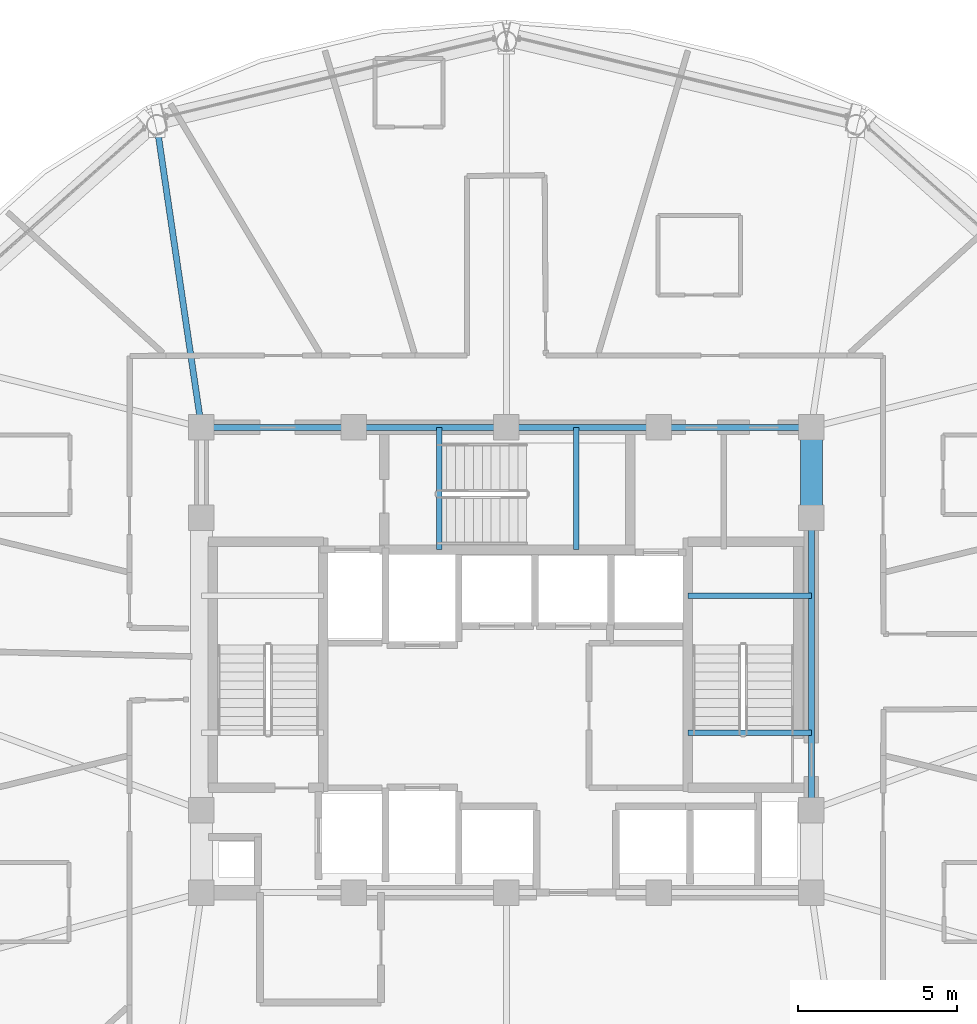
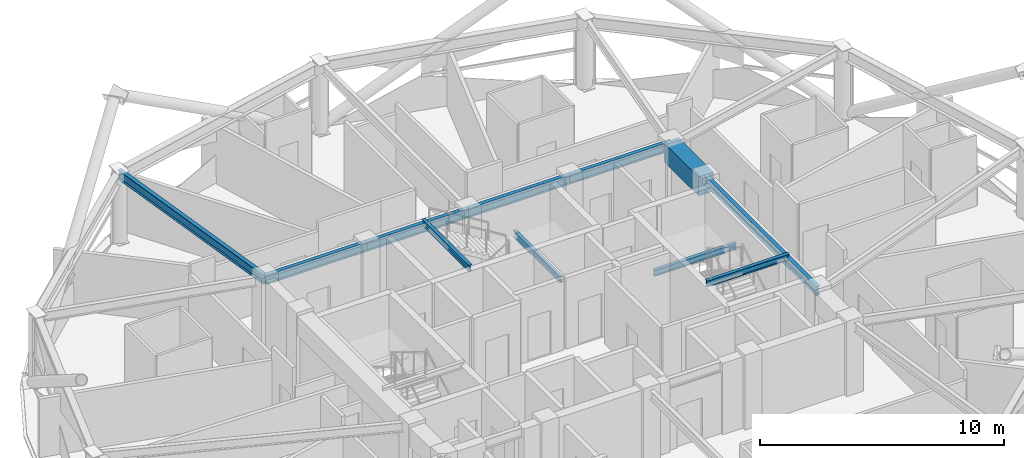
# One storey, part 10 of 29: 11 beams.
"""IFC4 building model written with IfcOpenShell, lengths in metres."""

from ifc_helpers import new_model, si_unit, direction, frame, origin, origin_2d, place, context, subcontext, project, spatial, rectangle, i_section, extrude, material, material_profile, profile_set, type_object, element, save


model = new_model("IFC4")

# Units and contexts
model_context = context("Model", 3, precision=1e-05, world=origin(), true_north=direction((0.0, 1.0)))
body_context = subcontext(model_context, "Body", "Model", "MODEL_VIEW")
ifc_project = project(units=[si_unit("LENGTHUNIT", "METRE"), si_unit("AREAUNIT", "SQUARE_METRE"), si_unit("VOLUMEUNIT", "CUBIC_METRE"), si_unit("PLANEANGLEUNIT", "RADIAN"), si_unit("MASSUNIT", "GRAM", prefix="KILO")], contexts=[model_context])

# Site, building, storey
site_placement = place(None, origin())
site = spatial("IfcSite", under=ifc_project, at=site_placement, CompositionType="ELEMENT")
building_placement = place(site_placement, origin())
building = spatial("IfcBuilding", under=site, at=building_placement, Name="Vantalir Tower", CompositionType="ELEMENT")
storey_placement = place(building_placement, frame((0.0, 0.0, 219.89990234375)))
storey = spatial("IfcBuildingStorey", under=building, at=storey_placement, Name="L55", CompositionType="ELEMENT", Elevation=219.89990234375)

# Beams
ifc_material_1 = material(Name="Concrete C60/75", Category="concrete")
ifc_material_profile_1 = material_profile(ifc_material_1, rectangle(XDim=0.699951171875, YDim=0.949951171875, at=origin_2d()), Name="Concrete C60/75")
ifc_profile_set_1 = profile_set([ifc_material_profile_1], Name="Concrete C60/75")
beam_type_1 = type_object("IfcBeamType", Name="BM-CB-700x950", PredefinedType="USERDEFINED", material=ifc_profile_set_1)
beam_1_placement = place(storey_placement, frame((41.10009765625, 29.60009765625, 3.09521484375), z_axis=(0.0, 1.0, 0.0), x_axis=(-1.0, 0.0, 0.0)))
element("IfcBeam", 1, at=beam_1_placement, inside=storey, type_object=beam_type_1, Name="L55 Core Coupling Girder 07", ObjectType="GIRDER", PredefinedType="USERDEFINED", context=body_context, shape_type="SweptSolid", body=[
    extrude(rectangle(XDim=0.699951171875, YDim=0.949951171875, at=origin_2d()), origin(), (0.0, 0.0, 1.0), 2.849853515625),
])
ifc_material_2 = material(Name="Steel S355", Category="steel")
ifc_material_profile_2 = material_profile(ifc_material_2, i_section(OverallWidth=0.166015625, OverallDepth=0.306884765625, WebThickness=0.006591796875, FlangeThickness=0.01171875, at=origin_2d()), Name="Steel S355")
ifc_profile_set_2 = profile_set([ifc_material_profile_2], Name="Steel S355")
beam_type_2 = type_object("IfcBeamType", Name="BM-JS-305x165", PredefinedType="JOIST", material=ifc_profile_set_2)
for number, where, z_axis, x_axis, name in (
    (2, (37.2099609375, 22.8349609375, 3.59619140625), (1.0, 0.0, 0.0), (0.0, 1.0, 0.0), "L56 Stair ST2 Well Nosing Trimmer Beam"),
    (3, (37.2099609375, 27.14501953125, 1.52099609375), (1.0, 0.0, 0.0), (0.0, 1.0, 0.0), "L55 Stair ST2 Half-Landing Support Beam"),
):
    element("IfcBeam", number, at=place(storey_placement, frame(where, z_axis=z_axis, x_axis=x_axis)), inside=storey, type_object=beam_type_2, Name=name, PredefinedType="JOIST", context=body_context, shape_type="SweptSolid", body=[
        extrude(i_section(OverallWidth=0.166015625, OverallDepth=0.306884765625, WebThickness=0.006591796875, FlangeThickness=0.01171875, at=origin_2d()), origin(), (0.0, 0.0, 1.0), 3.89013671875),
    ])
for number, where, z_axis, x_axis, name in (
    (4, (29.385009765625, 28.60009765625, 3.59619140625), (0.0, 1.0, 0.0), (-1.0, 0.0, 0.0), "L56 Stair ST3 Well Nosing Trimmer Beam"),
    (5, (33.695068359375, 28.60009765625, 1.52099609375), (0.0, 1.0, 0.0), (-1.0, 0.0, 0.0), "L55 Stair ST3 Half-Landing Support Beam"),
):
    element("IfcBeam", number, at=place(storey_placement, frame(where, z_axis=z_axis, x_axis=x_axis)), inside=storey, type_object=beam_type_2, Name=name, PredefinedType="JOIST", context=body_context, shape_type="SweptSolid", body=[
        extrude(i_section(OverallWidth=0.166015625, OverallDepth=0.306884765625, WebThickness=0.006591796875, FlangeThickness=0.01171875, at=origin_2d()), origin(), (0.0, 0.0, 1.0), 3.849853515625),
    ])
ifc_material_profile_3 = material_profile(ifc_material_2, i_section(OverallWidth=0.19189453125, OverallDepth=0.462890625, WebThickness=0.010498046875, FlangeThickness=0.017578125, at=origin_2d()), Name="Steel S355")
ifc_profile_set_3 = profile_set([ifc_material_profile_3], Name="Steel S355")
beam_type_3 = type_object("IfcBeamType", Name="BM-RB-457x191", PredefinedType="BEAM", material=ifc_profile_set_3)
beam_2_placement = place(storey_placement, frame((41.10009765625, 20.39990234375, 3.338134765625), z_axis=(0.0, 1.0, 0.0), x_axis=(-1.0, 0.0, 0.0)))
element("IfcBeam", 6, at=beam_2_placement, inside=storey, type_object=beam_type_3, Name="L55 Core Coupling Girder 06", PredefinedType="BEAM", context=body_context, shape_type="SweptSolid", body=[
    extrude(i_section(OverallWidth=0.19189453125, OverallDepth=0.462890625, WebThickness=0.010498046875, FlangeThickness=0.017578125, at=origin_2d()), origin(), (0.0, 0.0, 1.0), 9.2001953125),
])
for number, where, z_axis, x_axis, name in (
    (7, (41.10009765625, 32.449951171875, 3.338134765625), (-1.0, 0.0, 0.0), (0.0, -1.0, 0.0), "L55 Core Coupling Girder 08"),
    (8, (36.300048828125, 32.449951171875, 3.338134765625), (-1.0, 0.0, 0.0), (0.0, -1.0, 0.0), "L55 Core Coupling Girder 09"),
    (9, (31.5, 32.449951171875, 3.338134765625), (-1.0, 0.0, 0.0), (0.0, -1.0, 0.0), "L55 Core Coupling Girder 10"),
    (10, (26.699951171875, 32.449951171875, 3.338134765625), (-1.0, 0.0, 0.0), (0.0, -1.0, 0.0), "L55 Core Coupling Girder 11"),
):
    element("IfcBeam", number, at=place(storey_placement, frame(where, z_axis=z_axis, x_axis=x_axis)), inside=storey, type_object=beam_type_3, Name=name, PredefinedType="BEAM", context=body_context, shape_type="SweptSolid", body=[
        extrude(i_section(OverallWidth=0.19189453125, OverallDepth=0.462890625, WebThickness=0.010498046875, FlangeThickness=0.017578125, at=origin_2d()), origin(), (0.0, 0.0, 1.0), 4.800048828125),
    ])
beam_3_placement = place(storey_placement, frame((20.493896484375, 41.970947265625, 3.338134765625), z_axis=(0.146089890003, -0.989271319729, 0.0), x_axis=(0.989271319729, 0.146089890003, 0.0)))
element("IfcBeam", 11, at=beam_3_placement, inside=storey, type_object=beam_type_3, Name="L55 Radial Floor Beam 05", PredefinedType="BEAM", context=body_context, shape_type="SweptSolid", body=[
    extrude(i_section(OverallWidth=0.19189453125, OverallDepth=0.462890625, WebThickness=0.010498046875, FlangeThickness=0.017578125, at=origin_2d()), origin(), (0.0, 0.0, 1.0), 9.624267578125),
])

save(model, "model.ifc")
